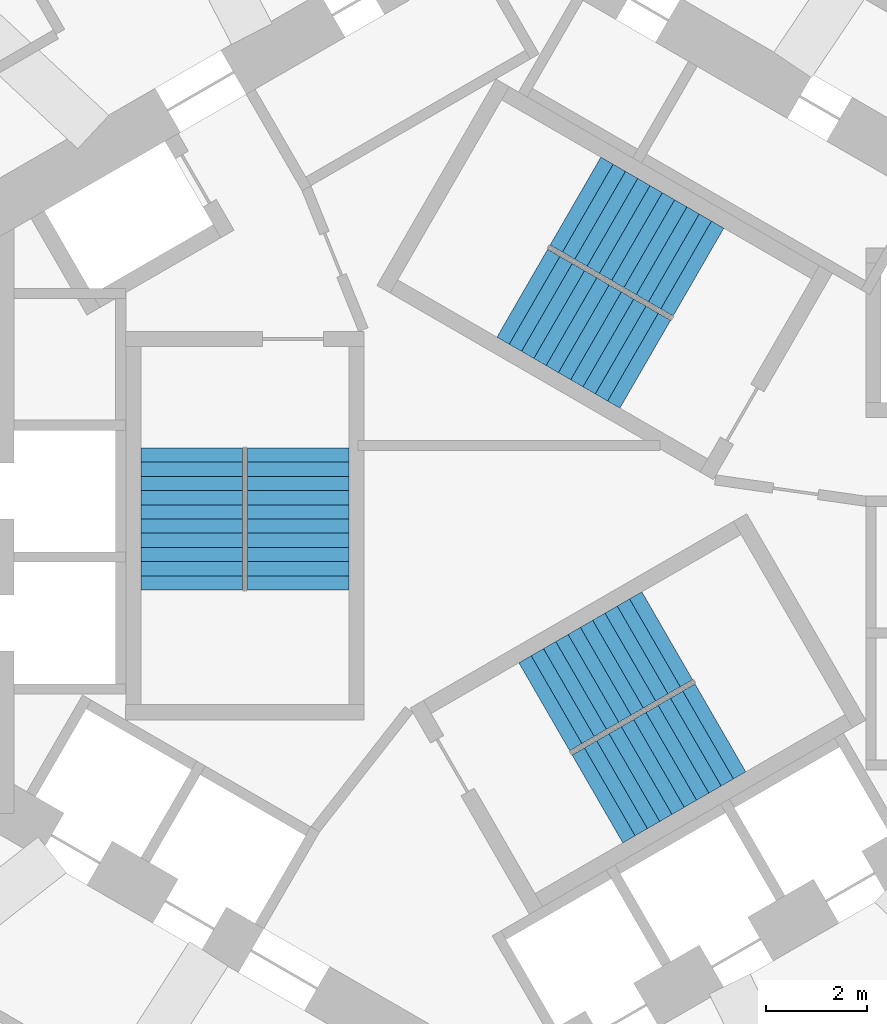
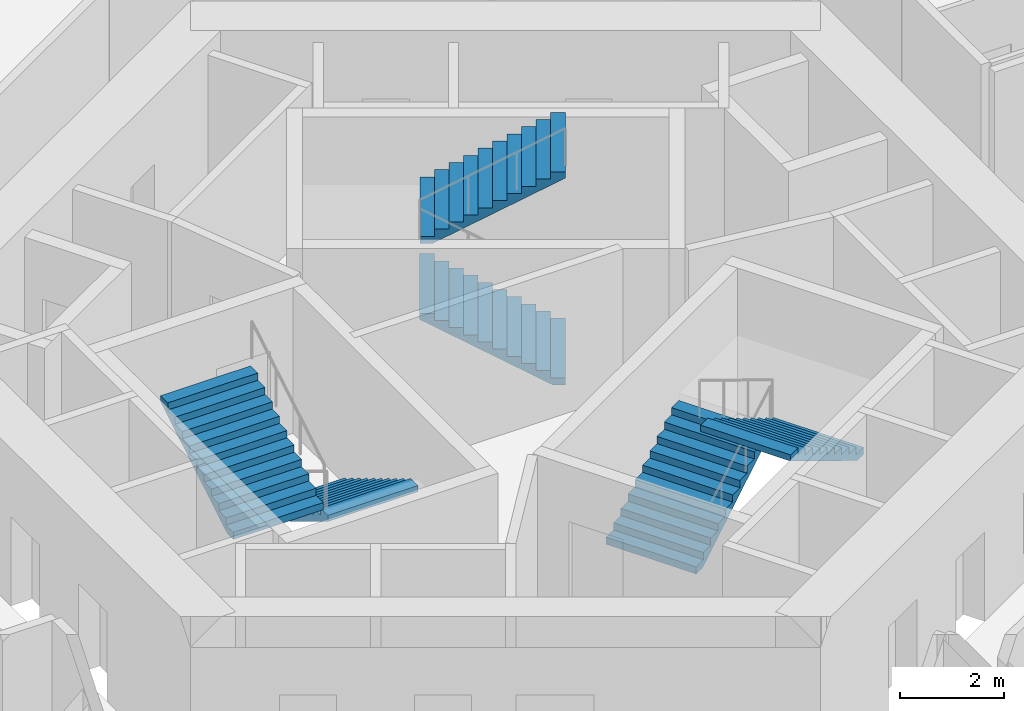
# One storey, part 9 of 11: 6 stair flights, 3 elements without a shape of their own.
"""IFC4 building model written with IfcOpenShell, lengths in metres."""

from ifc_helpers import new_model, si_unit, direction, frame, origin, place, context, subcontext, project, spatial, triangles, source, transform, mapped, material, type_object, element, aggregate, save


model = new_model("IFC4")

# Units and contexts
model_context = context("Model", 3, precision=1e-05, world=origin(), true_north=direction((0.0, 1.0)))
body_context = subcontext(model_context, "Body", "Model", "MODEL_VIEW")
ifc_project = project(units=[si_unit("LENGTHUNIT", "METRE"), si_unit("AREAUNIT", "SQUARE_METRE"), si_unit("VOLUMEUNIT", "CUBIC_METRE"), si_unit("PLANEANGLEUNIT", "RADIAN"), si_unit("MASSUNIT", "GRAM", prefix="KILO")], contexts=[model_context])

# Site, building, storey
site_placement = place(None, origin())
site = spatial("IfcSite", under=ifc_project, at=site_placement, CompositionType="ELEMENT")
building_placement = place(site_placement, origin())
building = spatial("IfcBuilding", under=site, at=building_placement, Name="Vanh Sen Convention Tower", CompositionType="ELEMENT")
storey_placement = place(building_placement, frame((0.0, 0.0, 176.199951171875)))
storey = spatial("IfcBuildingStorey", under=building, at=storey_placement, Name="L43", CompositionType="ELEMENT", Elevation=176.199951171875)

# Stair, stair flights
ifc_material_1 = material(Name="Concrete C50/60", Category="concrete")
stair_type_1 = type_object("IfcStairType", Name="Exit stair ST1 22 risers at 168.2", PredefinedType="HALF_TURN_STAIR", material=ifc_material_1)
stair_1_placement = place(storey_placement, origin())
stair_1 = element("IfcStair", 1, at=stair_1_placement, inside=storey, type_object=stair_type_1, Name="Exit stair ST1 L43", PredefinedType="HALF_TURN_STAIR")
ifc_material_2 = material(Name="Concrete C40/50", Category="concrete")
stair_flight_type = type_object("IfcStairFlightType", Name="Stair flight 2000", PredefinedType="STRAIGHT", material=ifc_material_2)
shared_shape = source(origin(), body_context, "Body", "Tessellation", [
    triangles([(0.24267578125, 1.0, 0.0), (0.0, 1.0, 0.0), (0.0, 1.0, 0.168212890625), (0.280029296875, 1.0, 0.168212890625), (0.280029296875, 1.0, 0.33642578125), (0.56005859375, 1.0, 0.33642578125), (0.56005859375, 1.0, 0.504638671875), (0.840087890625, 1.0, 0.504638671875), (0.840087890625, 1.0, 0.672607421875), (1.1201171875, 1.0, 0.672607421875), (1.1201171875, 1.0, 0.8408203125), (1.39990234375, 1.0, 0.8408203125), (1.39990234375, 1.0, 1.009033203125), (1.679931640625, 1.0, 1.009033203125), (1.679931640625, 1.0, 1.17724609375), (1.9599609375, 1.0, 1.17724609375), (1.9599609375, 1.0, 1.345458984375), (2.239990234375, 1.0, 1.345458984375), (2.239990234375, 1.0, 1.513671875), (2.52001953125, 1.0, 1.513671875), (2.52001953125, 1.0, 1.681884765625), (2.800048828125, 1.0, 1.681884765625), (2.800048828125, 1.0, 1.535888671875), (0.24267578125, -1.0, 0.0), (0.0, -1.0, 0.0), (0.0, -1.0, 0.168212890625), (0.280029296875, -1.0, 0.168212890625), (0.280029296875, -1.0, 0.33642578125), (0.56005859375, -1.0, 0.33642578125), (0.56005859375, -1.0, 0.504638671875), (0.840087890625, -1.0, 0.504638671875), (0.840087890625, -1.0, 0.672607421875), (1.1201171875, -1.0, 0.672607421875), (1.1201171875, -1.0, 0.8408203125), (1.39990234375, -1.0, 0.8408203125), (1.39990234375, -1.0, 1.009033203125), (1.679931640625, -1.0, 1.009033203125), (1.679931640625, -1.0, 1.17724609375), (1.9599609375, -1.0, 1.17724609375), (1.9599609375, -1.0, 1.345458984375), (2.239990234375, -1.0, 1.345458984375), (2.239990234375, -1.0, 1.513671875), (2.52001953125, -1.0, 1.513671875), (2.52001953125, -1.0, 1.681884765625), (2.800048828125, -1.0, 1.681884765625), (2.800048828125, -1.0, 1.535888671875), (0.0, 0.0400390625, 0.0), (0.0, 0.0390625, 0.0), (0.0, 0.0380859375, 0.0), (0.0, 0.037109375, 0.0), (0.0, 0.035888671875, 0.0), (0.0, 0.034912109375, 0.0), (0.0, 0.033935546875, 0.0), (0.0, 0.032958984375, 0.0), (0.0, 0.031982421875, 0.0), (0.0, 0.031005859375, 0.0), (0.0, 0.030029296875, 0.0), (0.0, 0.029052734375, 0.0), (0.0, 0.028076171875, 0.0), (0.0, 0.027099609375, 0.0), (0.0, 0.02587890625, 0.0), (0.0, 0.02490234375, 0.0), (0.0, 0.02392578125, 0.0), (0.0, 0.02294921875, 0.0), (0.0, 0.02197265625, 0.0), (0.0, 0.02099609375, 0.0), (0.0, 0.02001953125, 0.0), (0.0, 0.01904296875, 0.0), (0.0, 0.01806640625, 0.0), (0.0, 0.01708984375, 0.0), (0.0, 0.01611328125, 0.0), (0.0, 0.014892578125, 0.0), (0.0, 0.013916015625, 0.0), (0.0, 0.012939453125, 0.0), (0.0, 0.011962890625, 0.0), (0.0, 0.010986328125, 0.0), (0.0, 0.010009765625, 0.0), (0.0, 0.009033203125, 0.0), (0.0, 0.008056640625, 0.0), (0.0, 0.007080078125, 0.0), (0.0, 0.006103515625, 0.0), (0.0, 0.0048828125, 0.0), (0.0, 0.00390625, 0.0), (0.0, 0.0029296875, 0.0), (0.0, 0.001953125, 0.0), (0.0, 0.0009765625, 0.0), (0.0, 0.0, 0.0), (0.0, -0.0009765625, 0.0), (0.0, -0.001953125, 0.0), (0.0, -0.0029296875, 0.0), (0.0, -0.00390625, 0.0), (0.0, -0.0048828125, 0.0), (0.0, -0.006103515625, 0.0), (0.0, -0.007080078125, 0.0), (0.0, -0.008056640625, 0.0), (0.0, -0.009033203125, 0.0), (0.0, -0.010009765625, 0.0), (0.0, -0.010986328125, 0.0), (0.0, -0.011962890625, 0.0), (0.0, -0.012939453125, 0.0), (0.0, -0.013916015625, 0.0), (0.0, -0.014892578125, 0.0), (0.0, -0.01611328125, 0.0), (0.0, -0.01708984375, 0.0), (0.0, -0.01806640625, 0.0), (0.0, -0.01904296875, 0.0), (0.0, -0.02001953125, 0.0), (0.0, -0.02099609375, 0.0), (0.0, -0.02197265625, 0.0), (0.0, -0.02294921875, 0.0), (0.0, -0.02392578125, 0.0), (0.0, -0.02490234375, 0.0), (0.0, -0.02587890625, 0.0), (0.0, -0.027099609375, 0.0), (0.0, -0.028076171875, 0.0), (0.0, -0.029052734375, 0.0), (0.0, -0.030029296875, 0.0), (0.0, -0.031005859375, 0.0), (0.0, -0.031982421875, 0.0), (0.0, -0.032958984375, 0.0), (0.0, -0.033935546875, 0.0), (0.0, -0.034912109375, 0.0), (0.0, -0.035888671875, 0.0), (0.0, -0.037109375, 0.0), (0.0, -0.0380859375, 0.0), (0.0, -0.0390625, 0.0), (0.0, -0.0400390625, 0.0), (0.0, 0.0400390625, 0.168212890625), (0.0, 0.0390625, 0.168212890625), (0.0, 0.0380859375, 0.168212890625), (0.0, 0.037109375, 0.168212890625), (0.0, 0.035888671875, 0.168212890625), (0.0, 0.034912109375, 0.168212890625), (0.0, 0.033935546875, 0.168212890625), (0.0, 0.032958984375, 0.168212890625), (0.0, 0.031982421875, 0.168212890625), (0.0, 0.031005859375, 0.168212890625), (0.0, 0.030029296875, 0.168212890625), (0.0, 0.029052734375, 0.168212890625), (0.0, 0.028076171875, 0.168212890625), (0.0, 0.027099609375, 0.168212890625), (0.0, 0.02587890625, 0.168212890625), (0.0, 0.02490234375, 0.168212890625), (0.0, 0.02392578125, 0.168212890625), (0.0, 0.02294921875, 0.168212890625), (0.0, 0.02197265625, 0.168212890625), (0.0, 0.02099609375, 0.168212890625), (0.0, 0.02001953125, 0.168212890625), (0.0, 0.01904296875, 0.168212890625), (0.0, 0.01806640625, 0.168212890625), (0.0, 0.01708984375, 0.168212890625), (0.0, 0.01611328125, 0.168212890625), (0.0, 0.014892578125, 0.168212890625), (0.0, 0.013916015625, 0.168212890625), (0.0, 0.012939453125, 0.168212890625), (0.0, 0.011962890625, 0.168212890625), (0.0, 0.010986328125, 0.168212890625), (0.0, 0.010009765625, 0.168212890625), (0.0, 0.009033203125, 0.168212890625), (0.0, 0.008056640625, 0.168212890625), (0.0, 0.007080078125, 0.168212890625), (0.0, 0.006103515625, 0.168212890625), (0.0, 0.0048828125, 0.168212890625), (0.0, 0.00390625, 0.168212890625), (0.0, 0.0029296875, 0.168212890625), (0.0, 0.001953125, 0.168212890625), (0.0, 0.0009765625, 0.168212890625), (0.0, 0.0, 0.168212890625), (0.0, -0.0009765625, 0.168212890625), (0.0, -0.001953125, 0.168212890625), (0.0, -0.0029296875, 0.168212890625), (0.0, -0.00390625, 0.168212890625), (0.0, -0.0048828125, 0.168212890625), (0.0, -0.006103515625, 0.168212890625), (0.0, -0.007080078125, 0.168212890625), (0.0, -0.008056640625, 0.168212890625), (0.0, -0.009033203125, 0.168212890625), (0.0, -0.010009765625, 0.168212890625), (0.0, -0.010986328125, 0.168212890625), (0.0, -0.011962890625, 0.168212890625), (0.0, -0.012939453125, 0.168212890625), (0.0, -0.013916015625, 0.168212890625), (0.0, -0.014892578125, 0.168212890625), (0.0, -0.01611328125, 0.168212890625), (0.0, -0.01708984375, 0.168212890625), (0.0, -0.01806640625, 0.168212890625), (0.0, -0.01904296875, 0.168212890625), (0.0, -0.02001953125, 0.168212890625), (0.0, -0.02099609375, 0.168212890625), (0.0, -0.02197265625, 0.168212890625), (0.0, -0.02294921875, 0.168212890625), (0.0, -0.02392578125, 0.168212890625), (0.0, -0.02490234375, 0.168212890625), (0.0, -0.02587890625, 0.168212890625), (0.0, -0.027099609375, 0.168212890625), (0.0, -0.028076171875, 0.168212890625), (0.0, -0.029052734375, 0.168212890625), (0.0, -0.030029296875, 0.168212890625), (0.0, -0.031005859375, 0.168212890625), (0.0, -0.031982421875, 0.168212890625), (0.0, -0.032958984375, 0.168212890625), (0.0, -0.033935546875, 0.168212890625), (0.0, -0.034912109375, 0.168212890625), (0.0, -0.035888671875, 0.168212890625), (0.0, -0.037109375, 0.168212890625), (0.0, -0.0380859375, 0.168212890625), (0.0, -0.0390625, 0.168212890625), (0.0, -0.0400390625, 0.168212890625), (0.280029296875, 0.0, 0.168212890625), (0.280029296875, 0.0, 0.33642578125), (0.56005859375, 0.0, 0.33642578125), (0.56005859375, 0.0, 0.504638671875), (0.840087890625, 0.0, 0.504638671875), (0.840087890625, 0.0, 0.672607421875), (1.1201171875, 0.0, 0.672607421875), (1.1201171875, 0.0, 0.8408203125), (1.39990234375, 0.0, 0.8408203125), (1.39990234375, 0.0, 1.009033203125), (1.679931640625, 0.0, 1.009033203125), (1.679931640625, 0.0, 1.17724609375), (1.9599609375, 0.0, 1.17724609375), (1.9599609375, 0.0, 1.345458984375), (2.239990234375, 0.0, 1.345458984375), (2.239990234375, 0.0, 1.513671875), (2.52001953125, 0.0, 1.513671875), (2.52001953125, 0.0, 1.681884765625), (2.800048828125, 0.0400390625, 1.681884765625), (2.800048828125, 0.0390625, 1.681884765625), (2.800048828125, 0.0380859375, 1.681884765625), (2.800048828125, 0.037109375, 1.681884765625), (2.800048828125, 0.035888671875, 1.681884765625), (2.800048828125, 0.034912109375, 1.681884765625), (2.800048828125, 0.033935546875, 1.681884765625), (2.800048828125, 0.032958984375, 1.681884765625), (2.800048828125, 0.031982421875, 1.681884765625), (2.800048828125, 0.031005859375, 1.681884765625), (2.800048828125, 0.030029296875, 1.681884765625), (2.800048828125, 0.029052734375, 1.681884765625), (2.800048828125, 0.028076171875, 1.681884765625), (2.800048828125, 0.027099609375, 1.681884765625), (2.800048828125, 0.02587890625, 1.681884765625), (2.800048828125, 0.02490234375, 1.681884765625), (2.800048828125, 0.02392578125, 1.681884765625), (2.800048828125, 0.02294921875, 1.681884765625), (2.800048828125, 0.02197265625, 1.681884765625), (2.800048828125, 0.02099609375, 1.681884765625), (2.800048828125, 0.02001953125, 1.681884765625), (2.800048828125, 0.01904296875, 1.681884765625), (2.800048828125, 0.01806640625, 1.681884765625), (2.800048828125, 0.01708984375, 1.681884765625), (2.800048828125, 0.01611328125, 1.681884765625), (2.800048828125, 0.014892578125, 1.681884765625), (2.800048828125, 0.013916015625, 1.681884765625), (2.800048828125, 0.012939453125, 1.681884765625), (2.800048828125, 0.011962890625, 1.681884765625), (2.800048828125, 0.010986328125, 1.681884765625), (2.800048828125, 0.010009765625, 1.681884765625), (2.800048828125, 0.009033203125, 1.681884765625), (2.800048828125, 0.008056640625, 1.681884765625), (2.800048828125, 0.007080078125, 1.681884765625), (2.800048828125, 0.006103515625, 1.681884765625), (2.800048828125, 0.0048828125, 1.681884765625), (2.800048828125, 0.00390625, 1.681884765625), (2.800048828125, 0.0029296875, 1.681884765625), (2.800048828125, 0.001953125, 1.681884765625), (2.800048828125, 0.0009765625, 1.681884765625), (2.800048828125, 0.0, 1.681884765625), (2.800048828125, -0.0009765625, 1.681884765625), (2.800048828125, -0.001953125, 1.681884765625), (2.800048828125, -0.0029296875, 1.681884765625), (2.800048828125, -0.00390625, 1.681884765625), (2.800048828125, -0.0048828125, 1.681884765625), (2.800048828125, -0.006103515625, 1.681884765625), (2.800048828125, -0.007080078125, 1.681884765625), (2.800048828125, -0.008056640625, 1.681884765625), (2.800048828125, -0.009033203125, 1.681884765625), (2.800048828125, -0.010009765625, 1.681884765625), (2.800048828125, -0.010986328125, 1.681884765625), (2.800048828125, -0.011962890625, 1.681884765625), (2.800048828125, -0.012939453125, 1.681884765625), (2.800048828125, -0.013916015625, 1.681884765625), (2.800048828125, -0.014892578125, 1.681884765625), (2.800048828125, -0.01611328125, 1.681884765625), (2.800048828125, -0.01708984375, 1.681884765625), (2.800048828125, -0.01806640625, 1.681884765625), (2.800048828125, -0.01904296875, 1.681884765625), (2.800048828125, -0.02001953125, 1.681884765625), (2.800048828125, -0.02099609375, 1.681884765625), (2.800048828125, -0.02197265625, 1.681884765625), (2.800048828125, -0.02294921875, 1.681884765625), (2.800048828125, -0.02392578125, 1.681884765625), (2.800048828125, -0.02490234375, 1.681884765625), (2.800048828125, -0.02587890625, 1.681884765625), (2.800048828125, -0.027099609375, 1.681884765625), (2.800048828125, -0.028076171875, 1.681884765625), (2.800048828125, -0.029052734375, 1.681884765625), (2.800048828125, -0.030029296875, 1.681884765625), (2.800048828125, -0.031005859375, 1.681884765625), (2.800048828125, -0.031982421875, 1.681884765625), (2.800048828125, -0.032958984375, 1.681884765625), (2.800048828125, -0.033935546875, 1.681884765625), (2.800048828125, -0.034912109375, 1.681884765625), (2.800048828125, -0.035888671875, 1.681884765625), (2.800048828125, -0.037109375, 1.681884765625), (2.800048828125, -0.0380859375, 1.681884765625), (2.800048828125, -0.0390625, 1.681884765625), (2.800048828125, -0.0400390625, 1.681884765625), (2.800048828125, 0.0400390625, 1.535888671875), (2.800048828125, 0.0390625, 1.535888671875), (2.800048828125, 0.0380859375, 1.535888671875), (2.800048828125, 0.037109375, 1.535888671875), (2.800048828125, 0.035888671875, 1.535888671875), (2.800048828125, 0.034912109375, 1.535888671875), (2.800048828125, 0.033935546875, 1.535888671875), (2.800048828125, 0.032958984375, 1.535888671875), (2.800048828125, 0.031982421875, 1.535888671875), (2.800048828125, 0.031005859375, 1.535888671875), (2.800048828125, 0.030029296875, 1.535888671875), (2.800048828125, 0.029052734375, 1.535888671875), (2.800048828125, 0.028076171875, 1.535888671875), (2.800048828125, 0.027099609375, 1.535888671875), (2.800048828125, 0.02587890625, 1.535888671875), (2.800048828125, 0.02490234375, 1.535888671875), (2.800048828125, 0.02392578125, 1.535888671875), (2.800048828125, 0.02294921875, 1.535888671875), (2.800048828125, 0.02197265625, 1.535888671875), (2.800048828125, 0.02099609375, 1.535888671875), (2.800048828125, 0.02001953125, 1.535888671875), (2.800048828125, 0.01904296875, 1.535888671875), (2.800048828125, 0.01806640625, 1.535888671875), (2.800048828125, 0.01708984375, 1.535888671875), (2.800048828125, 0.01611328125, 1.535888671875), (2.800048828125, 0.014892578125, 1.535888671875), (2.800048828125, 0.013916015625, 1.535888671875), (2.800048828125, 0.012939453125, 1.535888671875), (2.800048828125, 0.011962890625, 1.535888671875), (2.800048828125, 0.010986328125, 1.535888671875), (2.800048828125, 0.010009765625, 1.535888671875), (2.800048828125, 0.009033203125, 1.535888671875), (2.800048828125, 0.008056640625, 1.535888671875), (2.800048828125, 0.007080078125, 1.535888671875), (2.800048828125, 0.006103515625, 1.535888671875), (2.800048828125, 0.0048828125, 1.535888671875), (2.800048828125, 0.00390625, 1.535888671875), (2.800048828125, 0.0029296875, 1.535888671875), (2.800048828125, 0.001953125, 1.535888671875), (2.800048828125, 0.0009765625, 1.535888671875), (2.800048828125, 0.0, 1.535888671875), (2.800048828125, -0.0009765625, 1.535888671875), (2.800048828125, -0.001953125, 1.535888671875), (2.800048828125, -0.0029296875, 1.535888671875), (2.800048828125, -0.00390625, 1.535888671875), (2.800048828125, -0.0048828125, 1.535888671875), (2.800048828125, -0.006103515625, 1.535888671875), (2.800048828125, -0.007080078125, 1.535888671875), (2.800048828125, -0.008056640625, 1.535888671875), (2.800048828125, -0.009033203125, 1.535888671875), (2.800048828125, -0.010009765625, 1.535888671875), (2.800048828125, -0.010986328125, 1.535888671875), (2.800048828125, -0.011962890625, 1.535888671875), (2.800048828125, -0.012939453125, 1.535888671875), (2.800048828125, -0.013916015625, 1.535888671875), (2.800048828125, -0.014892578125, 1.535888671875), (2.800048828125, -0.01611328125, 1.535888671875), (2.800048828125, -0.01708984375, 1.535888671875), (2.800048828125, -0.01806640625, 1.535888671875), (2.800048828125, -0.01904296875, 1.535888671875), (2.800048828125, -0.02001953125, 1.535888671875), (2.800048828125, -0.02099609375, 1.535888671875), (2.800048828125, -0.02197265625, 1.535888671875), (2.800048828125, -0.02294921875, 1.535888671875), (2.800048828125, -0.02392578125, 1.535888671875), (2.800048828125, -0.02490234375, 1.535888671875), (2.800048828125, -0.02587890625, 1.535888671875), (2.800048828125, -0.027099609375, 1.535888671875), (2.800048828125, -0.028076171875, 1.535888671875), (2.800048828125, -0.029052734375, 1.535888671875), (2.800048828125, -0.030029296875, 1.535888671875), (2.800048828125, -0.031005859375, 1.535888671875), (2.800048828125, -0.031982421875, 1.535888671875), (2.800048828125, -0.032958984375, 1.535888671875), (2.800048828125, -0.033935546875, 1.535888671875), (2.800048828125, -0.034912109375, 1.535888671875), (2.800048828125, -0.035888671875, 1.535888671875), (2.800048828125, -0.037109375, 1.535888671875), (2.800048828125, -0.0380859375, 1.535888671875), (2.800048828125, -0.0390625, 1.535888671875), (2.800048828125, -0.0400390625, 1.535888671875), (0.24267578125, 0.0, 0.0)], [[1, 2, 3], [1, 3, 4], [4, 5, 6], [1, 4, 6], [6, 7, 8], [1, 6, 8], [8, 9, 10], [1, 8, 10], [10, 11, 12], [1, 10, 12], [12, 13, 14], [1, 12, 14], [14, 15, 16], [1, 14, 16], [16, 17, 18], [1, 16, 18], [18, 19, 20], [1, 18, 20], [20, 21, 22], [1, 20, 22], [22, 23, 1], [24, 26, 25], [24, 27, 26], [27, 29, 28], [24, 29, 27], [29, 31, 30], [24, 31, 29], [31, 33, 32], [24, 33, 31], [33, 35, 34], [24, 35, 33], [35, 37, 36], [24, 37, 35], [37, 39, 38], [24, 39, 37], [39, 41, 40], [24, 41, 39], [41, 43, 42], [24, 43, 41], [43, 45, 44], [24, 45, 43], [45, 24, 46], [2, 128, 3], [2, 47, 128], [47, 129, 128], [47, 48, 129], [48, 130, 129], [48, 49, 130], [49, 131, 130], [49, 50, 131], [50, 132, 131], [50, 51, 132], [51, 133, 132], [51, 52, 133], [52, 134, 133], [52, 53, 134], [53, 135, 134], [53, 54, 135], [54, 136, 135], [54, 55, 136], [55, 137, 136], [55, 56, 137], [56, 138, 137], [56, 57, 138], [57, 139, 138], [57, 58, 139], [58, 140, 139], [58, 59, 140], [59, 141, 140], [59, 60, 141], [60, 142, 141], [60, 61, 142], [61, 143, 142], [61, 62, 143], [62, 144, 143], [62, 63, 144], [63, 145, 144], [63, 64, 145], [64, 146, 145], [64, 65, 146], [65, 147, 146], [65, 66, 147], [66, 148, 147], [66, 67, 148], [67, 149, 148], [67, 68, 149], [68, 150, 149], [68, 69, 150], [69, 151, 150], [69, 70, 151], [70, 152, 151], [70, 71, 152], [71, 153, 152], [71, 72, 153], [72, 154, 153], [72, 73, 154], [73, 155, 154], [73, 74, 155], [74, 156, 155], [74, 75, 156], [75, 157, 156], [75, 76, 157], [76, 158, 157], [76, 77, 158], [77, 159, 158], [77, 78, 159], [78, 160, 159], [78, 79, 160], [79, 161, 160], [79, 80, 161], [80, 162, 161], [80, 81, 162], [81, 163, 162], [81, 82, 163], [82, 164, 163], [82, 83, 164], [83, 165, 164], [83, 84, 165], [84, 166, 165], [84, 85, 166], [85, 167, 166], [85, 86, 167], [86, 168, 167], [86, 87, 168], [87, 88, 168], [168, 88, 169], [88, 89, 169], [169, 89, 170], [89, 90, 170], [170, 90, 171], [90, 91, 171], [171, 91, 172], [91, 92, 172], [172, 92, 173], [92, 93, 173], [173, 93, 174], [93, 94, 174], [174, 94, 175], [94, 95, 175], [175, 95, 176], [95, 96, 176], [176, 96, 177], [96, 97, 177], [177, 97, 178], [97, 98, 178], [178, 98, 179], [98, 99, 179], [179, 99, 180], [99, 100, 180], [180, 100, 181], [100, 101, 181], [181, 101, 182], [101, 102, 182], [182, 102, 183], [102, 103, 183], [183, 103, 184], [103, 104, 184], [184, 104, 185], [104, 105, 185], [185, 105, 186], [105, 106, 186], [186, 106, 187], [106, 107, 187], [187, 107, 188], [107, 108, 188], [188, 108, 189], [108, 109, 189], [189, 109, 190], [109, 110, 190], [190, 110, 191], [110, 111, 191], [191, 111, 192], [111, 112, 192], [192, 112, 193], [112, 113, 193], [193, 113, 194], [113, 114, 194], [194, 114, 195], [114, 115, 195], [195, 115, 196], [115, 116, 196], [196, 116, 197], [116, 117, 197], [197, 117, 198], [117, 118, 198], [198, 118, 199], [118, 119, 199], [199, 119, 200], [119, 120, 200], [200, 120, 201], [120, 121, 201], [201, 121, 202], [121, 122, 202], [202, 122, 203], [122, 123, 203], [203, 123, 204], [123, 124, 204], [204, 124, 205], [124, 125, 205], [205, 125, 206], [125, 126, 206], [206, 126, 207], [126, 127, 207], [207, 127, 208], [127, 25, 208], [208, 25, 26], [4, 3, 128], [4, 128, 129], [4, 129, 130], [4, 130, 131], [4, 131, 132], [4, 132, 133], [4, 133, 134], [4, 134, 135], [4, 135, 136], [4, 136, 137], [4, 137, 138], [4, 138, 139], [4, 139, 140], [4, 140, 141], [4, 141, 142], [4, 142, 143], [4, 143, 144], [4, 144, 145], [4, 145, 146], [4, 146, 147], [4, 147, 148], [4, 148, 149], [4, 149, 150], [4, 150, 151], [4, 151, 152], [4, 152, 153], [4, 153, 154], [4, 154, 155], [4, 155, 156], [4, 156, 157], [4, 157, 158], [4, 158, 159], [4, 159, 160], [4, 160, 161], [4, 161, 162], [4, 162, 163], [4, 163, 164], [4, 164, 165], [4, 165, 166], [4, 166, 167], [4, 167, 168], [27, 168, 169], [27, 169, 170], [27, 170, 171], [27, 171, 172], [27, 172, 173], [27, 173, 174], [27, 174, 175], [27, 175, 176], [27, 176, 177], [27, 177, 178], [27, 178, 179], [27, 179, 180], [27, 180, 181], [27, 181, 182], [27, 182, 183], [27, 183, 184], [27, 184, 185], [27, 185, 186], [27, 186, 187], [27, 187, 188], [27, 188, 189], [27, 189, 190], [27, 190, 191], [27, 191, 192], [27, 192, 193], [27, 193, 194], [27, 194, 195], [27, 195, 196], [27, 196, 197], [27, 197, 198], [27, 198, 199], [27, 199, 200], [27, 200, 201], [27, 201, 202], [27, 202, 203], [27, 203, 204], [27, 204, 205], [27, 205, 206], [27, 206, 207], [27, 207, 208], [27, 208, 26], [4, 168, 209], [27, 209, 168], [4, 210, 5], [4, 209, 210], [209, 27, 210], [210, 27, 28], [5, 211, 6], [5, 210, 211], [210, 28, 211], [211, 28, 29], [6, 212, 7], [6, 211, 212], [211, 29, 212], [212, 29, 30], [7, 213, 8], [7, 212, 213], [212, 30, 213], [213, 30, 31], [8, 214, 9], [8, 213, 214], [213, 31, 214], [214, 31, 32], [9, 215, 10], [9, 214, 215], [214, 32, 215], [215, 32, 33], [10, 216, 11], [10, 215, 216], [215, 33, 216], [216, 33, 34], [11, 217, 12], [11, 216, 217], [216, 34, 217], [217, 34, 35], [12, 218, 13], [12, 217, 218], [217, 35, 218], [218, 35, 36], [13, 219, 14], [13, 218, 219], [218, 36, 219], [219, 36, 37], [14, 220, 15], [14, 219, 220], [219, 37, 220], [220, 37, 38], [15, 221, 16], [15, 220, 221], [220, 38, 221], [221, 38, 39], [16, 222, 17], [16, 221, 222], [221, 39, 222], [222, 39, 40], [17, 223, 18], [17, 222, 223], [222, 40, 223], [223, 40, 41], [18, 224, 19], [18, 223, 224], [223, 41, 224], [224, 41, 42], [19, 225, 20], [19, 224, 225], [224, 42, 225], [225, 42, 43], [20, 226, 21], [20, 225, 226], [225, 43, 226], [226, 43, 44], [21, 227, 22], [21, 228, 227], [21, 229, 228], [21, 230, 229], [21, 231, 230], [21, 232, 231], [21, 233, 232], [21, 234, 233], [21, 235, 234], [21, 236, 235], [21, 237, 236], [21, 238, 237], [21, 239, 238], [21, 240, 239], [21, 241, 240], [21, 242, 241], [21, 243, 242], [21, 244, 243], [21, 245, 244], [21, 246, 245], [21, 247, 246], [21, 248, 247], [21, 249, 248], [21, 250, 249], [21, 251, 250], [21, 252, 251], [21, 253, 252], [21, 254, 253], [21, 255, 254], [21, 256, 255], [21, 257, 256], [21, 258, 257], [21, 259, 258], [21, 260, 259], [21, 261, 260], [21, 262, 261], [21, 263, 262], [21, 264, 263], [21, 265, 264], [21, 266, 265], [21, 267, 266], [44, 268, 267], [44, 269, 268], [44, 270, 269], [44, 271, 270], [44, 272, 271], [44, 273, 272], [44, 274, 273], [44, 275, 274], [44, 276, 275], [44, 277, 276], [44, 278, 277], [44, 279, 278], [44, 280, 279], [44, 281, 280], [44, 282, 281], [44, 283, 282], [44, 284, 283], [44, 285, 284], [44, 286, 285], [44, 287, 286], [44, 288, 287], [44, 289, 288], [44, 290, 289], [44, 291, 290], [44, 292, 291], [44, 293, 292], [44, 294, 293], [44, 295, 294], [44, 296, 295], [44, 297, 296], [44, 298, 297], [44, 299, 298], [44, 300, 299], [44, 301, 300], [44, 302, 301], [44, 303, 302], [44, 304, 303], [44, 305, 304], [44, 306, 305], [44, 307, 306], [44, 45, 307], [21, 226, 267], [44, 267, 226], [22, 308, 23], [22, 227, 308], [227, 309, 308], [227, 228, 309], [228, 310, 309], [228, 229, 310], [229, 311, 310], [229, 230, 311], [230, 312, 311], [230, 231, 312], [231, 313, 312], [231, 232, 313], [232, 314, 313], [232, 233, 314], [233, 315, 314], [233, 234, 315], [234, 316, 315], [234, 235, 316], [235, 317, 316], [235, 236, 317], [236, 318, 317], [236, 237, 318], [237, 319, 318], [237, 238, 319], [238, 320, 319], [238, 239, 320], [239, 321, 320], [239, 240, 321], [240, 322, 321], [240, 241, 322], [241, 323, 322], [241, 242, 323], [242, 324, 323], [242, 243, 324], [243, 325, 324], [243, 244, 325], [244, 326, 325], [244, 245, 326], [245, 327, 326], [245, 246, 327], [246, 328, 327], [246, 247, 328], [247, 329, 328], [247, 248, 329], [248, 330, 329], [248, 249, 330], [249, 331, 330], [249, 250, 331], [250, 332, 331], [250, 251, 332], [251, 333, 332], [251, 252, 333], [252, 334, 333], [252, 253, 334], [253, 335, 334], [253, 254, 335], [254, 336, 335], [254, 255, 336], [255, 337, 336], [255, 256, 337], [256, 338, 337], [256, 257, 338], [257, 339, 338], [257, 258, 339], [258, 340, 339], [258, 259, 340], [259, 341, 340], [259, 260, 341], [260, 342, 341], [260, 261, 342], [261, 343, 342], [261, 262, 343], [262, 344, 343], [262, 263, 344], [263, 345, 344], [263, 264, 345], [264, 346, 345], [264, 265, 346], [265, 347, 346], [265, 266, 347], [266, 348, 347], [266, 267, 348], [267, 268, 348], [348, 268, 349], [268, 269, 349], [349, 269, 350], [269, 270, 350], [350, 270, 351], [270, 271, 351], [351, 271, 352], [271, 272, 352], [352, 272, 353], [272, 273, 353], [353, 273, 354], [273, 274, 354], [354, 274, 355], [274, 275, 355], [355, 275, 356], [275, 276, 356], [356, 276, 357], [276, 277, 357], [357, 277, 358], [277, 278, 358], [358, 278, 359], [278, 279, 359], [359, 279, 360], [279, 280, 360], [360, 280, 361], [280, 281, 361], [361, 281, 362], [281, 282, 362], [362, 282, 363], [282, 283, 363], [363, 283, 364], [283, 284, 364], [364, 284, 365], [284, 285, 365], [365, 285, 366], [285, 286, 366], [366, 286, 367], [286, 287, 367], [367, 287, 368], [287, 288, 368], [368, 288, 369], [288, 289, 369], [369, 289, 370], [289, 290, 370], [370, 290, 371], [290, 291, 371], [371, 291, 372], [291, 292, 372], [372, 292, 373], [292, 293, 373], [373, 293, 374], [293, 294, 374], [374, 294, 375], [294, 295, 375], [375, 295, 376], [295, 296, 376], [376, 296, 377], [296, 297, 377], [377, 297, 378], [297, 298, 378], [378, 298, 379], [298, 299, 379], [379, 299, 380], [299, 300, 380], [380, 300, 381], [300, 301, 381], [381, 301, 382], [301, 302, 382], [382, 302, 383], [302, 303, 383], [383, 303, 384], [303, 304, 384], [384, 304, 385], [304, 305, 385], [385, 305, 386], [305, 306, 386], [386, 306, 387], [306, 307, 387], [387, 307, 388], [307, 45, 388], [388, 45, 46], [1, 23, 308], [1, 308, 309], [1, 309, 310], [1, 310, 311], [1, 311, 312], [1, 312, 313], [1, 313, 314], [1, 314, 315], [1, 315, 316], [1, 316, 317], [1, 317, 318], [1, 318, 319], [1, 319, 320], [1, 320, 321], [1, 321, 322], [1, 322, 323], [1, 323, 324], [1, 324, 325], [1, 325, 326], [1, 326, 327], [1, 327, 328], [1, 328, 329], [1, 329, 330], [1, 330, 331], [1, 331, 332], [1, 332, 333], [1, 333, 334], [1, 334, 335], [1, 335, 336], [1, 336, 337], [1, 337, 338], [1, 338, 339], [1, 339, 340], [1, 340, 341], [1, 341, 342], [1, 342, 343], [1, 343, 344], [1, 344, 345], [1, 345, 346], [1, 346, 347], [1, 347, 348], [24, 348, 349], [24, 349, 350], [24, 350, 351], [24, 351, 352], [24, 352, 353], [24, 353, 354], [24, 354, 355], [24, 355, 356], [24, 356, 357], [24, 357, 358], [24, 358, 359], [24, 359, 360], [24, 360, 361], [24, 361, 362], [24, 362, 363], [24, 363, 364], [24, 364, 365], [24, 365, 366], [24, 366, 367], [24, 367, 368], [24, 368, 369], [24, 369, 370], [24, 370, 371], [24, 371, 372], [24, 372, 373], [24, 373, 374], [24, 374, 375], [24, 375, 376], [24, 376, 377], [24, 377, 378], [24, 378, 379], [24, 379, 380], [24, 380, 381], [24, 381, 382], [24, 382, 383], [24, 383, 384], [24, 384, 385], [24, 385, 386], [24, 386, 387], [24, 387, 388], [24, 388, 46], [1, 348, 389], [24, 389, 348], [1, 47, 2], [1, 48, 47], [1, 49, 48], [1, 50, 49], [1, 51, 50], [1, 52, 51], [1, 53, 52], [1, 54, 53], [1, 55, 54], [1, 56, 55], [1, 57, 56], [1, 58, 57], [1, 59, 58], [1, 60, 59], [1, 61, 60], [1, 62, 61], [1, 63, 62], [1, 64, 63], [1, 65, 64], [1, 66, 65], [1, 67, 66], [1, 68, 67], [1, 69, 68], [1, 70, 69], [1, 71, 70], [1, 72, 71], [1, 73, 72], [1, 74, 73], [1, 75, 74], [1, 76, 75], [1, 77, 76], [1, 78, 77], [1, 79, 78], [1, 80, 79], [1, 81, 80], [1, 82, 81], [1, 83, 82], [1, 84, 83], [1, 85, 84], [1, 86, 85], [1, 87, 86], [24, 88, 87], [24, 89, 88], [24, 90, 89], [24, 91, 90], [24, 92, 91], [24, 93, 92], [24, 94, 93], [24, 95, 94], [24, 96, 95], [24, 97, 96], [24, 98, 97], [24, 99, 98], [24, 100, 99], [24, 101, 100], [24, 102, 101], [24, 103, 102], [24, 104, 103], [24, 105, 104], [24, 106, 105], [24, 107, 106], [24, 108, 107], [24, 109, 108], [24, 110, 109], [24, 111, 110], [24, 112, 111], [24, 113, 112], [24, 114, 113], [24, 115, 114], [24, 116, 115], [24, 117, 116], [24, 118, 117], [24, 119, 118], [24, 120, 119], [24, 121, 120], [24, 122, 121], [24, 123, 122], [24, 124, 123], [24, 125, 124], [24, 126, 125], [24, 127, 126], [24, 25, 127], [1, 389, 87], [24, 87, 389]], closed=True),
])
stair_flight_1_placement = place(storey_placement, frame((2.94580078125, 2.802490234375, 0.0), z_axis=(0.0, 0.0, 1.0), x_axis=(-0.866025403784, 0.5, 0.0)))
stair_flight_1 = element("IfcStairFlight", 2, at=stair_flight_1_placement, type_object=stair_flight_type, Name="ST1 flight 1", NumberOfRisers=11, NumberOfTreads=10, PredefinedType="STRAIGHT", RiserHeight=0.168181818, TreadLength=0.28, context=body_context, shape_type="MappedRepresentation", body=[
    mapped(shared_shape, transform((0.0, 0.0, 0.0))),
])
stair_flight_2_placement = place(storey_placement, frame((1.571044921875, 6.021240234375, 1.85009765625), z_axis=(0.0, 0.0, 1.0), x_axis=(0.866025403784, -0.5, 0.0)))
stair_flight_2 = element("IfcStairFlight", 3, at=stair_flight_2_placement, type_object=stair_flight_type, Name="ST1 flight 2", NumberOfRisers=11, NumberOfTreads=10, PredefinedType="STRAIGHT", RiserHeight=0.168181818, TreadLength=0.28, context=body_context, shape_type="MappedRepresentation", body=[
    mapped(shared_shape, transform((0.0, 0.0, 0.0))),
])
aggregate(stair_1, [stair_flight_1, stair_flight_2])

stair_type_2 = type_object("IfcStairType", Name="Exit stair ST2 22 risers at 168.2", PredefinedType="HALF_TURN_STAIR", material=ifc_material_1)
stair_2_placement = place(storey_placement, origin())
stair_2 = element("IfcStair", 4, at=stair_2_placement, inside=storey, type_object=stair_type_2, Name="Exit stair ST2 L43", PredefinedType="HALF_TURN_STAIR")
stair_flight_3_placement = place(storey_placement, frame((-3.89990234375, 1.14990234375, 0.0), z_axis=(0.0, 0.0, 1.0), x_axis=(0.0, -1.0, 0.0)))
stair_flight_3 = element("IfcStairFlight", 5, at=stair_flight_3_placement, type_object=stair_flight_type, Name="ST2 flight 1", NumberOfRisers=11, NumberOfTreads=10, PredefinedType="STRAIGHT", RiserHeight=0.168181818, TreadLength=0.28, context=body_context, shape_type="MappedRepresentation", body=[
    mapped(shared_shape, transform((0.0, 0.0, 0.0))),
])
stair_flight_4_placement = place(storey_placement, frame((-6.0, -1.64990234375, 1.85009765625), z_axis=(0.0, 0.0, 1.0), x_axis=(0.0, 1.0, 0.0)))
stair_flight_4 = element("IfcStairFlight", 6, at=stair_flight_4_placement, type_object=stair_flight_type, Name="ST2 flight 2", NumberOfRisers=11, NumberOfTreads=10, PredefinedType="STRAIGHT", RiserHeight=0.168181818, TreadLength=0.28, context=body_context, shape_type="MappedRepresentation", body=[
    mapped(shared_shape, transform((0.0, 0.0, 0.0))),
])
aggregate(stair_2, [stair_flight_3, stair_flight_4])

stair_type_3 = type_object("IfcStairType", Name="Exit stair ST3 22 risers at 168.2", PredefinedType="HALF_TURN_STAIR", material=ifc_material_1)
stair_3_placement = place(storey_placement, origin())
stair_3 = element("IfcStair", 7, at=stair_3_placement, inside=storey, type_object=stair_type_3, Name="Exit stair ST3 L43", PredefinedType="HALF_TURN_STAIR")
stair_flight_5_placement = place(storey_placement, frame((0.9541015625, -3.952392578125, 0.0), z_axis=(0.0, 0.0, 1.0), x_axis=(0.866025403784, 0.5, 0.0)))
stair_flight_5 = element("IfcStairFlight", 8, at=stair_flight_5_placement, type_object=stair_flight_type, Name="ST3 flight 1", NumberOfRisers=11, NumberOfTreads=10, PredefinedType="STRAIGHT", RiserHeight=0.168181818, TreadLength=0.28, context=body_context, shape_type="MappedRepresentation", body=[
    mapped(shared_shape, transform((0.0, 0.0, 0.0))),
])
stair_flight_6_placement = place(storey_placement, frame((4.428955078125, -4.37109375, 1.85009765625), z_axis=(0.0, 0.0, 1.0), x_axis=(-0.866025403784, -0.5, 0.0)))
stair_flight_6 = element("IfcStairFlight", 9, at=stair_flight_6_placement, type_object=stair_flight_type, Name="ST3 flight 2", NumberOfRisers=11, NumberOfTreads=10, PredefinedType="STRAIGHT", RiserHeight=0.168181818, TreadLength=0.28, context=body_context, shape_type="MappedRepresentation", body=[
    mapped(shared_shape, transform((0.0, 0.0, 0.0))),
])
aggregate(stair_3, [stair_flight_5, stair_flight_6])

save(model, "model.ifc")
